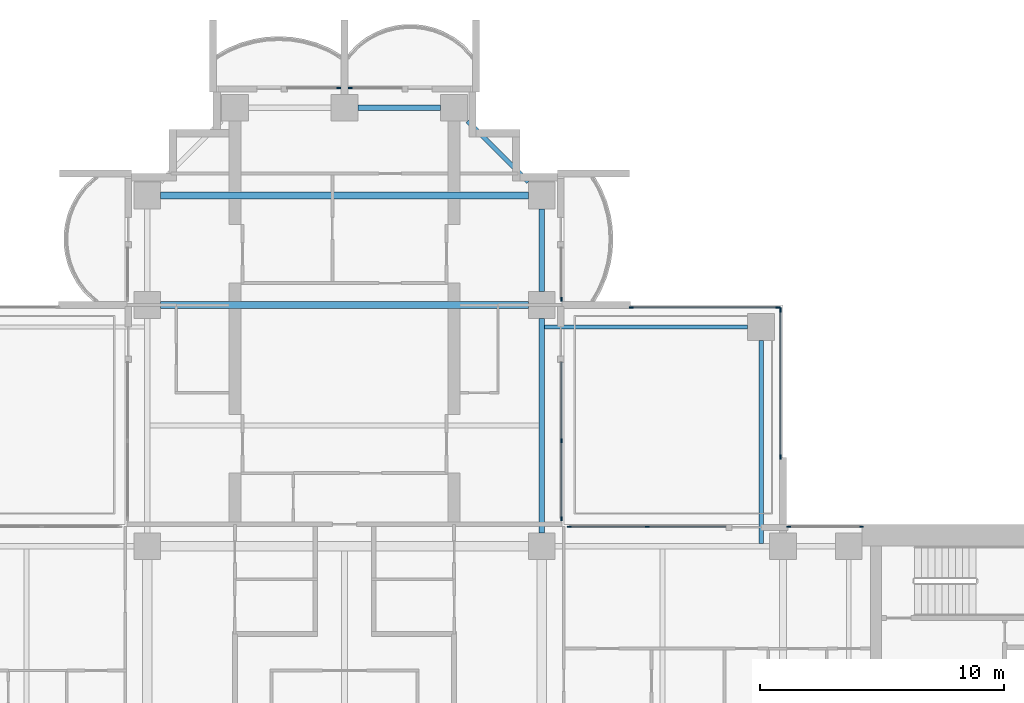
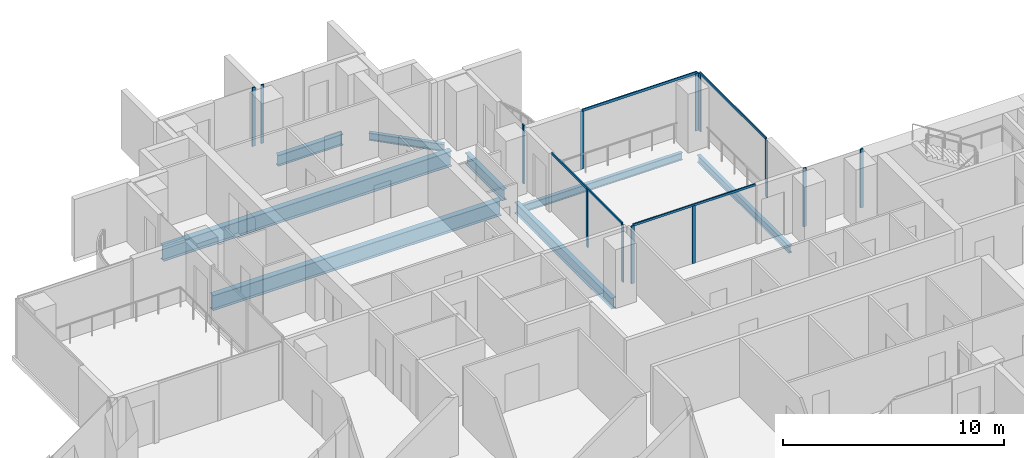
# One storey, part 6 of 19: 17 members, 8 beams, 8 elements without a shape of their own.
"""IFC4 building model written with IfcOpenShell, lengths in metres."""

from ifc_helpers import new_model, si_unit, direction, frame, origin, origin_2d, place, context, subcontext, project, spatial, rectangle, i_section, extrude, material, material_profile, profile_set, type_object, element, aggregate, save


model = new_model("IFC4")

# Units and contexts
model_context = context("Model", 3, precision=1e-05, world=origin(), true_north=direction((0.0, 1.0)))
body_context = subcontext(model_context, "Body", "Model", "MODEL_VIEW")
ifc_project = project(units=[si_unit("LENGTHUNIT", "METRE"), si_unit("AREAUNIT", "SQUARE_METRE"), si_unit("VOLUMEUNIT", "CUBIC_METRE"), si_unit("PLANEANGLEUNIT", "RADIAN"), si_unit("MASSUNIT", "GRAM", prefix="KILO")], contexts=[model_context])

# Site, building, storey
site_placement = place(None, origin())
site = spatial("IfcSite", under=ifc_project, at=site_placement, CompositionType="ELEMENT")
building_placement = place(site_placement, origin())
building = spatial("IfcBuilding", under=site, at=building_placement, Name="Perihelion Cross Residences", CompositionType="ELEMENT")
storey_placement = place(building_placement, frame((0.0, 0.0, 109.39990234375)))
storey = spatial("IfcBuildingStorey", under=building, at=storey_placement, Name="L25", CompositionType="ELEMENT", Elevation=109.39990234375)

# Curtain wall, members
ifc_material_1 = material(Name="Bronze anodised aluminium, tinted glazing", Category="aluminium")
curtain_wall_type_1 = type_object("IfcCurtainWallType", Name="CW1", PredefinedType="NOTDEFINED", material=ifc_material_1)
curtain_wall_1_placement = place(storey_placement, origin())
curtain_wall_1 = element("IfcCurtainWall", 1, at=curtain_wall_1_placement, inside=storey, type_object=curtain_wall_type_1, Name="Curtain wall CW1 L25 east side north bay 1", PredefinedType="NOTDEFINED")
ifc_material_2 = material(Name="Bronze anodised aluminium", Category="aluminium")
ifc_material_profile_1 = material_profile(ifc_material_2, rectangle(XDim=0.06005859375, YDim=0.159912109375, at=origin_2d()), Name="CW1 mullion")
ifc_profile_set_1 = profile_set([ifc_material_profile_1], Name="Bronze anodised aluminium")
member_type_1 = type_object("IfcMemberType", Name="CW1 mullion", PredefinedType="MULLION", material=ifc_profile_set_1)
member_1_placement = place(storey_placement, frame((21.219970703125, 8.89990234375, 0.0), z_axis=(0.0, 0.0, 1.0), x_axis=(0.0, -1.0, 0.0)))
member_1 = element("IfcMember", 2, at=member_1_placement, type_object=member_type_1, Name="CW1 mullion 1", PredefinedType="MULLION", context=body_context, shape_type="SweptSolid", body=[
    extrude(rectangle(XDim=0.06005859375, YDim=0.159912109375, at=origin_2d()), origin(), (0.0, 0.0, 1.0), 3.25),
])
member_2_placement = place(storey_placement, frame((18.22998046875, 8.89990234375, 0.0), z_axis=(0.0, 0.0, 1.0), x_axis=(0.0, -1.0, 0.0)))
member_2 = element("IfcMember", 3, at=member_2_placement, type_object=member_type_1, Name="CW1 mullion 2", PredefinedType="MULLION", context=body_context, shape_type="SweptSolid", body=[
    extrude(rectangle(XDim=0.06005859375, YDim=0.159912109375, at=origin_2d()), origin(), (0.0, 0.0, 1.0), 3.25),
])
aggregate(curtain_wall_1, [member_1, member_2])

curtain_wall_2_placement = place(storey_placement, origin())
curtain_wall_2 = element("IfcCurtainWall", 4, at=curtain_wall_2_placement, inside=storey, type_object=curtain_wall_type_1, Name="Curtain wall CW1 L25 east side north bay 2", PredefinedType="NOTDEFINED")
member_3_placement = place(storey_placement, frame((12.425048828125, 8.89990234375, 0.0), z_axis=(0.0, 0.0, 1.0), x_axis=(0.0, -1.0, 0.0)))
member_3 = element("IfcMember", 5, at=member_3_placement, type_object=member_type_1, Name="CW1 mullion 2", PredefinedType="MULLION", context=body_context, shape_type="SweptSolid", body=[
    extrude(rectangle(XDim=0.06005859375, YDim=0.159912109375, at=origin_2d()), origin(), (0.0, 0.0, 1.0), 3.190185546875),
])
member_4_placement = place(storey_placement, frame((9.22998046875, 8.89990234375, 0.0), z_axis=(0.0, 0.0, 1.0), x_axis=(0.0, -1.0, 0.0)))
member_4 = element("IfcMember", 6, at=member_4_placement, type_object=member_type_1, Name="CW1 mullion 3", PredefinedType="MULLION", context=body_context, shape_type="SweptSolid", body=[
    extrude(rectangle(XDim=0.06005859375, YDim=0.159912109375, at=origin_2d()), origin(), (0.0, 0.0, 1.0), 3.190185546875),
])

curtain_wall_3_placement = place(storey_placement, origin())
curtain_wall_3 = element("IfcCurtainWall", 7, at=curtain_wall_3_placement, inside=storey, type_object=curtain_wall_type_1, Name="Curtain wall CW1 L25 north side east bay 1", PredefinedType="NOTDEFINED")
member_5_placement = place(storey_placement, frame((8.89990234375, 9.22998046875, 0.0), z_axis=(0.0, 0.0, 1.0), x_axis=(-1.0, 0.0, 0.0)))
member_5 = element("IfcMember", 8, at=member_5_placement, type_object=member_type_1, Name="CW1 mullion 1", PredefinedType="MULLION", context=body_context, shape_type="SweptSolid", body=[
    extrude(rectangle(XDim=0.06005859375, YDim=0.159912109375, at=origin_2d()), origin(), (0.0, 0.0, 1.0), 3.190185546875),
])
member_6_placement = place(storey_placement, frame((8.89990234375, 12.425048828125, 0.0), z_axis=(0.0, 0.0, 1.0), x_axis=(-1.0, 0.0, 0.0)))
member_6 = element("IfcMember", 9, at=member_6_placement, type_object=member_type_1, Name="CW1 mullion 2", PredefinedType="MULLION", context=body_context, shape_type="SweptSolid", body=[
    extrude(rectangle(XDim=0.06005859375, YDim=0.159912109375, at=origin_2d()), origin(), (0.0, 0.0, 1.0), 3.190185546875),
])

# Curtain wall, member
curtain_wall_4_placement = place(storey_placement, origin())
curtain_wall_4 = element("IfcCurtainWall", 10, at=curtain_wall_4_placement, inside=storey, type_object=curtain_wall_type_1, Name="Curtain wall CW1 L25 north side east bay 2", PredefinedType="NOTDEFINED")
member_7_placement = place(storey_placement, frame((8.89990234375, 18.22998046875, 0.0), z_axis=(0.0, 0.0, 1.0), x_axis=(-1.0, 0.0, 0.0)))
member_7 = element("IfcMember", 11, at=member_7_placement, type_object=member_type_1, Name="CW1 mullion 1", PredefinedType="MULLION", context=body_context, shape_type="SweptSolid", body=[
    extrude(rectangle(XDim=0.06005859375, YDim=0.159912109375, at=origin_2d()), origin(), (0.0, 0.0, 1.0), 3.25),
])
aggregate(curtain_wall_4, [member_7])

curtain_wall_5_placement = place(storey_placement, origin())
curtain_wall_5 = element("IfcCurtainWall", 12, at=curtain_wall_5_placement, inside=storey, type_object=curtain_wall_type_1, Name="Curtain wall CW1 L25 north tip north bay 1", PredefinedType="NOTDEFINED")
member_8_placement = place(storey_placement, frame((0.22998046875, 26.89990234375, 0.0), z_axis=(0.0, 0.0, 1.0), x_axis=(0.0, -1.0, 0.0)))
member_8 = element("IfcMember", 13, at=member_8_placement, type_object=member_type_1, Name="CW1 mullion 2", PredefinedType="MULLION", context=body_context, shape_type="SweptSolid", body=[
    extrude(rectangle(XDim=0.06005859375, YDim=0.159912109375, at=origin_2d()), origin(), (0.0, 0.0, 1.0), 3.25),
])
aggregate(curtain_wall_5, [member_8])

curtain_wall_6_placement = place(storey_placement, origin())
curtain_wall_6 = element("IfcCurtainWall", 14, at=curtain_wall_6_placement, inside=storey, type_object=curtain_wall_type_1, Name="Curtain wall CW1 L25 north tip north bay 2", PredefinedType="NOTDEFINED")
member_9_placement = place(storey_placement, frame((-0.22998046875, 26.89990234375, 0.0), z_axis=(0.0, 0.0, 1.0), x_axis=(0.0, -1.0, 0.0)))
member_9 = element("IfcMember", 15, at=member_9_placement, type_object=member_type_1, Name="CW1 mullion 1", PredefinedType="MULLION", context=body_context, shape_type="SweptSolid", body=[
    extrude(rectangle(XDim=0.06005859375, YDim=0.159912109375, at=origin_2d()), origin(), (0.0, 0.0, 1.0), 3.25),
])
aggregate(curtain_wall_6, [member_9])

# Member
ifc_material_3 = material(Name="Bronze anodised aluminium", Category="aluminium")
ifc_material_profile_2 = material_profile(ifc_material_3, rectangle(XDim=0.06005859375, YDim=0.1201171875, at=origin_2d()), Name="CW1 transom")
ifc_profile_set_2 = profile_set([ifc_material_profile_2], Name="Bronze anodised aluminium")
member_type_2 = type_object("IfcMemberType", Name="CW1 transom", PredefinedType="USERDEFINED", material=ifc_profile_set_2)
member_10_placement = place(storey_placement, frame((15.64990234375, 8.89990234375, 3.22021484375), z_axis=(-1.0, 0.0, 0.0), x_axis=(0.0, -1.0, 0.0)))
member_10 = element("IfcMember", 16, at=member_10_placement, type_object=member_type_2, Name="CW1 head transom", ObjectType="TRANSOM", PredefinedType="USERDEFINED", context=body_context, shape_type="SweptSolid", body=[
    extrude(rectangle(XDim=0.06005859375, YDim=0.1201171875, at=origin_2d()), origin(), (0.0, 0.0, 1.0), 6.419921875),
])

aggregate(curtain_wall_2, [member_3, member_4, member_10])

member_11_placement = place(storey_placement, frame((8.89990234375, 9.22998046875, 3.22021484375), z_axis=(0.0, 1.0, 0.0), x_axis=(-1.0, 0.0, 0.0)))
member_11 = element("IfcMember", 17, at=member_11_placement, type_object=member_type_2, Name="CW1 head transom", ObjectType="TRANSOM", PredefinedType="USERDEFINED", context=body_context, shape_type="SweptSolid", body=[
    extrude(rectangle(XDim=0.06005859375, YDim=0.1201171875, at=origin_2d()), origin(), (0.0, 0.0, 1.0), 6.419921875),
])

aggregate(curtain_wall_3, [member_5, member_6, member_11])

# Curtain wall, members
ifc_material_4 = material(Name="Bronze anodised aluminium, tinted glazing", Category="aluminium")
curtain_wall_type_2 = type_object("IfcCurtainWallType", Name="CW4", PredefinedType="NOTDEFINED", material=ifc_material_4)
curtain_wall_7_placement = place(storey_placement, origin())
curtain_wall_7 = element("IfcCurtainWall", 18, at=curtain_wall_7_placement, inside=storey, type_object=curtain_wall_type_2, Name="Curtain wall CW4 L25 pocket north-east 1 1", PredefinedType="NOTDEFINED")
ifc_material_5 = material(Name="Bronze anodised aluminium", Category="aluminium")
ifc_material_profile_3 = material_profile(ifc_material_5, rectangle(XDim=0.06005859375, YDim=0.179931640625, at=origin_2d()), Name="CW4 mullion")
ifc_profile_set_3 = profile_set([ifc_material_profile_3], Name="Bronze anodised aluminium")
member_type_3 = type_object("IfcMemberType", Name="CW4 mullion", PredefinedType="MULLION", material=ifc_profile_set_3)
member_12_placement = place(storey_placement, frame((11.77001953125, 17.89990234375, 0.0), z_axis=(0.0, 0.0, 1.0), x_axis=(0.0, 1.0, 0.0)))
member_12 = element("IfcMember", 19, at=member_12_placement, type_object=member_type_3, Name="CW4 mullion 1", PredefinedType="MULLION", context=body_context, shape_type="SweptSolid", body=[
    extrude(rectangle(XDim=0.06005859375, YDim=0.179931640625, at=origin_2d()), origin(), (0.0, 0.0, 1.0), 3.190185546875),
])
member_13_placement = place(storey_placement, frame((17.800048828125, 17.89990234375, 0.0), z_axis=(0.0, 0.0, 1.0), x_axis=(0.0, 1.0, 0.0)))
member_13 = element("IfcMember", 20, at=member_13_placement, type_object=member_type_3, Name="CW4 mullion 2", PredefinedType="MULLION", context=body_context, shape_type="SweptSolid", body=[
    extrude(rectangle(XDim=0.06005859375, YDim=0.179931640625, at=origin_2d()), origin(), (0.0, 0.0, 1.0), 3.190185546875),
])

curtain_wall_8_placement = place(storey_placement, origin())
curtain_wall_8 = element("IfcCurtainWall", 21, at=curtain_wall_8_placement, inside=storey, type_object=curtain_wall_type_2, Name="Curtain wall CW4 L25 pocket north-east 1 2", PredefinedType="NOTDEFINED")
member_14_placement = place(storey_placement, frame((17.89990234375, 17.800048828125, 0.0), z_axis=(0.0, 0.0, 1.0), x_axis=(1.0, 0.0, 0.0)))
member_14 = element("IfcMember", 22, at=member_14_placement, type_object=member_type_3, Name="CW4 mullion 1", PredefinedType="MULLION", context=body_context, shape_type="SweptSolid", body=[
    extrude(rectangle(XDim=0.06005859375, YDim=0.179931640625, at=origin_2d()), origin(), (0.0, 0.0, 1.0), 3.190185546875),
])
member_15_placement = place(storey_placement, frame((17.89990234375, 11.77001953125, 0.0), z_axis=(0.0, 0.0, 1.0), x_axis=(1.0, 0.0, 0.0)))
member_15 = element("IfcMember", 23, at=member_15_placement, type_object=member_type_3, Name="CW4 mullion 2", PredefinedType="MULLION", context=body_context, shape_type="SweptSolid", body=[
    extrude(rectangle(XDim=0.06005859375, YDim=0.179931640625, at=origin_2d()), origin(), (0.0, 0.0, 1.0), 3.190185546875),
])

# Member
ifc_material_6 = material(Name="Bronze anodised aluminium", Category="aluminium")
ifc_material_profile_4 = material_profile(ifc_material_6, rectangle(XDim=0.06005859375, YDim=0.139892578125, at=origin_2d()), Name="CW4 transom")
ifc_profile_set_4 = profile_set([ifc_material_profile_4], Name="Bronze anodised aluminium")
member_type_4 = type_object("IfcMemberType", Name="CW4 transom", PredefinedType="USERDEFINED", material=ifc_profile_set_4)
member_16_placement = place(storey_placement, frame((11.77001953125, 17.89990234375, 3.22021484375), z_axis=(1.0, 0.0, 0.0), x_axis=(0.0, 1.0, 0.0)))
member_16 = element("IfcMember", 24, at=member_16_placement, type_object=member_type_4, Name="CW4 head transom", ObjectType="TRANSOM", PredefinedType="USERDEFINED", context=body_context, shape_type="SweptSolid", body=[
    extrude(rectangle(XDim=0.06005859375, YDim=0.139892578125, at=origin_2d()), origin(), (0.0, 0.0, 1.0), 6.030029296875),
])

aggregate(curtain_wall_7, [member_12, member_13, member_16])

member_17_placement = place(storey_placement, frame((17.89990234375, 17.800048828125, 3.22021484375), z_axis=(0.0, -1.0, 0.0), x_axis=(1.0, 0.0, 0.0)))
member_17 = element("IfcMember", 25, at=member_17_placement, type_object=member_type_4, Name="CW4 head transom", ObjectType="TRANSOM", PredefinedType="USERDEFINED", context=body_context, shape_type="SweptSolid", body=[
    extrude(rectangle(XDim=0.06005859375, YDim=0.139892578125, at=origin_2d()), origin(), (0.0, 0.0, 1.0), 6.030029296875),
])

aggregate(curtain_wall_8, [member_14, member_15, member_17])

# Beams
ifc_material_7 = material(Name="Steel S355", Category="steel")
ifc_material_profile_5 = material_profile(ifc_material_7, i_section(OverallWidth=0.177978515625, OverallDepth=0.406005859375, WebThickness=0.0078125, FlangeThickness=0.0126953125, at=origin_2d()), Name="W410x60")
ifc_profile_set_5 = profile_set([ifc_material_profile_5], Name="Steel S355")
beam_type_1 = type_object("IfcBeamType", Name="Core edge beam W410x60", PredefinedType="BEAM", material=ifc_profile_set_5)
for number, where, z_axis, x_axis, name in (
    (26, (17.10009765625, 8.214599609375, -0.452880859375), (0.0, 1.0, 0.0), (-1.0, 0.0, 0.0), "Core edge beam TB2 L25 corner no. 7"),
    (27, (8.214599609375, 17.10009765625, -0.452880859375), (1.0, 0.0, 0.0), (0.0, 1.0, 0.0), "Core edge beam TB2 L25 corner no. 8"),
):
    element("IfcBeam", number, at=place(storey_placement, frame(where, z_axis=z_axis, x_axis=x_axis)), inside=storey, type_object=beam_type_1, Name=name, PredefinedType="BEAM", context=body_context, shape_type="SweptSolid", body=[
        extrude(i_section(OverallWidth=0.177978515625, OverallDepth=0.406005859375, WebThickness=0.0078125, FlangeThickness=0.0126953125, at=origin_2d()), origin(), (0.0, 0.0, 1.0), 8.33544921875),
    ])
ifc_material_8 = material(Name="Steel S355", Category="steel")
ifc_material_profile_6 = material_profile(ifc_material_8, i_section(OverallWidth=0.22900390625, OverallDepth=0.612060546875, WebThickness=0.011962890625, FlangeThickness=0.01953125, at=origin_2d()), Name="W610x125")
ifc_profile_set_6 = profile_set([ifc_material_profile_6], Name="Steel S355")
beam_type_2 = type_object("IfcBeamType", Name="Edge beam W610x125", PredefinedType="SPANDREL", material=ifc_profile_set_6)
beam_1_placement = place(storey_placement, frame((8.10009765625, 8.64990234375, -0.555908203125), z_axis=(0.0, 1.0, 0.0), x_axis=(-1.0, 0.0, 0.0)))
element("IfcBeam", 28, at=beam_1_placement, inside=storey, type_object=beam_type_2, Name="Edge beam SB3 L25 no. 18", PredefinedType="SPANDREL", context=body_context, shape_type="SweptSolid", body=[
    extrude(i_section(OverallWidth=0.22900390625, OverallDepth=0.612060546875, WebThickness=0.011962890625, FlangeThickness=0.01953125, at=origin_2d()), origin(), (0.0, 0.0, 1.0), 8.800048828125),
])
for number, where, z_axis, x_axis, name in (
    (29, (8.10009765625, 18.550048828125, -0.555908203125), (0.0, 1.0, 0.0), (-1.0, 0.0, 0.0), "Edge beam SB3 L25 no. 17"),
    (30, (3.949951171875, 26.10009765625, -0.555908203125), (-1.0, 0.0, 0.0), (0.0, -1.0, 0.0), "Edge beam SB3 L25 no. 14"),
):
    element("IfcBeam", number, at=place(storey_placement, frame(where, z_axis=z_axis, x_axis=x_axis)), inside=storey, type_object=beam_type_2, Name=name, PredefinedType="SPANDREL", context=body_context, shape_type="SweptSolid", body=[
        extrude(i_section(OverallWidth=0.22900390625, OverallDepth=0.612060546875, WebThickness=0.011962890625, FlangeThickness=0.01953125, at=origin_2d()), origin(), (0.0, 0.0, 1.0), 3.39990234375),
    ])
ifc_material_9 = material(Name="Steel S355", Category="steel")
ifc_material_profile_7 = material_profile(ifc_material_9, i_section(OverallWidth=0.2919921875, OverallDepth=0.8359375, WebThickness=0.013916015625, FlangeThickness=0.018798828125, at=origin_2d()), Name="W840x176")
ifc_profile_set_7 = profile_set([ifc_material_profile_7], Name="Steel S355")
beam_type_3 = type_object("IfcBeamType", Name="Floor girder W840x176", PredefinedType="BEAM", material=ifc_profile_set_7)
for number, where, z_axis, x_axis, name in (
    (31, (-7.550048828125, 18.0, -0.66796875), (1.0, 0.0, 0.0), (0.0, 1.0, 0.0), "Girder G3 L25 no. 4"),
    (32, (-7.550048828125, 22.5, -0.66796875), (1.0, 0.0, 0.0), (0.0, 1.0, 0.0), "Girder G3 L25 no. 5"),
):
    element("IfcBeam", number, at=place(storey_placement, frame(where, z_axis=z_axis, x_axis=x_axis)), inside=storey, type_object=beam_type_3, Name=name, PredefinedType="BEAM", context=body_context, shape_type="SweptSolid", body=[
        extrude(i_section(OverallWidth=0.2919921875, OverallDepth=0.8359375, WebThickness=0.013916015625, FlangeThickness=0.018798828125, at=origin_2d()), origin(), (0.0, 0.0, 1.0), 15.10009765625),
    ])
ifc_material_10 = material(Name="Steel S355", Category="steel")
ifc_material_profile_8 = material_profile(ifc_material_10, i_section(OverallWidth=0.180908203125, OverallDepth=0.4169921875, WebThickness=0.010986328125, FlangeThickness=0.018310546875, at=origin_2d()), Name="W410x85")
ifc_profile_set_8 = profile_set([ifc_material_profile_8], Name="Steel S355")
beam_type_4 = type_object("IfcBeamType", Name="Serration edge beam W410x85", PredefinedType="BEAM", material=ifc_profile_set_8)
beam_2_placement = place(storey_placement, frame((7.550048828125, 23.050048828125, -0.45849609375), z_axis=(-0.707106781187, 0.707106781187, 0.0), x_axis=(-0.707106781187, -0.707106781187, 0.0)))
element("IfcBeam", 33, at=beam_2_placement, inside=storey, type_object=beam_type_4, Name="Serration edge beam EB3 L25 no. 4", PredefinedType="BEAM", context=body_context, shape_type="SweptSolid", body=[
    extrude(i_section(OverallWidth=0.180908203125, OverallDepth=0.4169921875, WebThickness=0.010986328125, FlangeThickness=0.018310546875, at=origin_2d()), origin(), (0.0, 0.0, 1.0), 3.53564453125),
])

save(model, "model.ifc")
